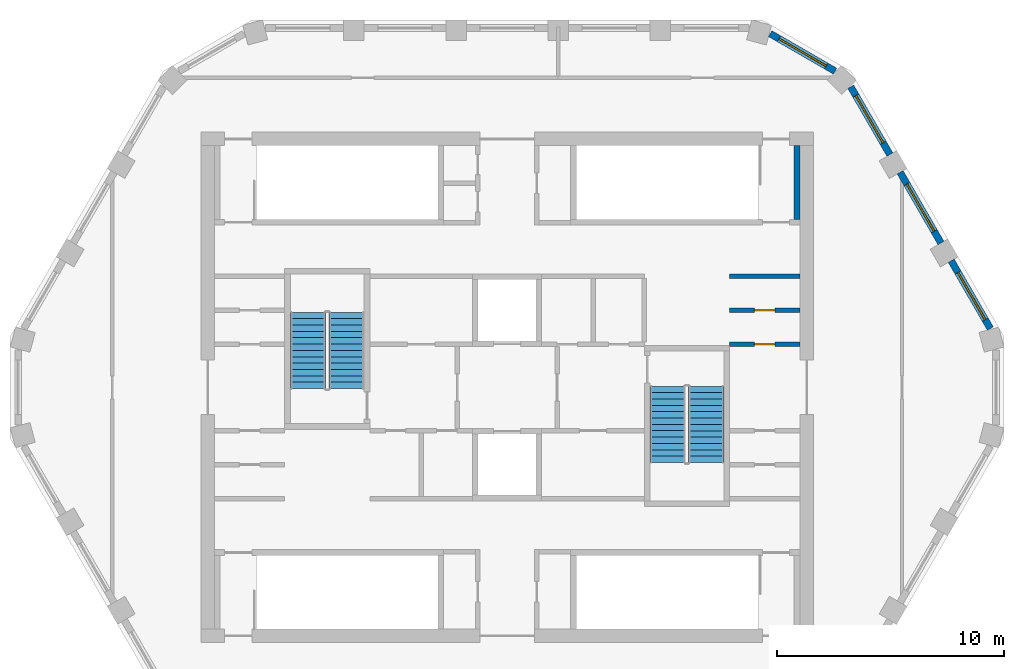
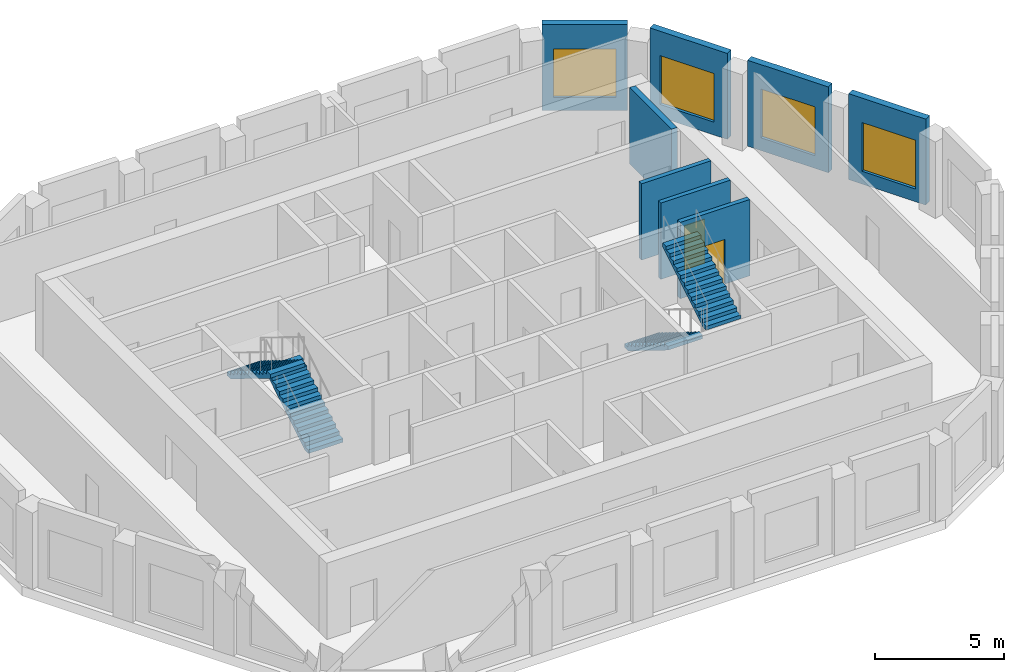
# One storey, part 5 of 6: 8 walls, 4 stair flights, 4 windows, 2 doors, 6 openings, 2 elements without a shape of their own.
"""IFC4 building model written with IfcOpenShell, lengths in metres."""

from ifc_helpers import new_model, si_unit, direction, frame, frame_2d, origin, place, context, subcontext, project, spatial, polyline, rectangle, outline, extrude, material, layer, layer_set, type_object, element, fill, aggregate, save


model = new_model("IFC4")

# Units and contexts
model_context = context("Model", 3, precision=1e-05, world=origin(), true_north=direction((0.0, 1.0)))
body_context = subcontext(model_context, "Body", "Model", "MODEL_VIEW")
ifc_project = project(units=[si_unit("LENGTHUNIT", "METRE"), si_unit("AREAUNIT", "SQUARE_METRE"), si_unit("VOLUMEUNIT", "CUBIC_METRE"), si_unit("PLANEANGLEUNIT", "RADIAN"), si_unit("MASSUNIT", "GRAM", prefix="KILO")], contexts=[model_context])

# Site, building, storey
site_placement = place(None, origin())
site = spatial("IfcSite", under=ifc_project, at=site_placement, CompositionType="ELEMENT")
building_placement = place(site_placement, origin())
building = spatial("IfcBuilding", under=site, at=building_placement, Name="Dhurran Vertical Campus", CompositionType="ELEMENT")
storey_placement = place(building_placement, frame((0.0, 0.0, 318.89990234375)))
storey = spatial("IfcBuildingStorey", under=building, at=storey_placement, Name="L78 Plant", CompositionType="ELEMENT", Elevation=318.89990234375)

# Wall, opening, window
ifc_material_1 = material(Name="Precast concrete C50/60", Category="concrete")
ifc_layer_1 = layer(ifc_material_1, 0.300048828125)
ifc_layer_set_1 = layer_set([ifc_layer_1], Name="Precast concrete C50/60")
wall_type_1 = type_object("IfcWallType", Name="Precast louvre-bay wall 300", PredefinedType="SOLIDWALL", material=ifc_layer_set_1)
wall_1_placement = place(storey_placement, frame((21.2939453125, 2.5947265625, 0.0), z_axis=(0.0, 0.0, 1.0), x_axis=(-0.499975693202, 0.866039436866, 0.0)))
wall_1 = element("IfcWall", 1, at=wall_1_placement, inside=storey, type_object=wall_type_1, Name="EW3 L78.10", PredefinedType="SOLIDWALL", context=body_context, shape_type="SweptSolid", body=[
    extrude(rectangle(XDim=3.449462890625, YDim=0.300048828125, at=frame_2d((1.724609375, 0.0))), origin(), (0.0, 0.0, 1.0), 4.050048828125),
])
opening_1_placement = place(wall_1_placement, frame((0.449951171875, 0.0, 0.60009765625)))
opening_1 = element("IfcOpeningElement", 2, at=opening_1_placement, cuts=wall_1, Name="Opening WT4", PredefinedType="OPENING", context=body_context, shape_type="SweptSolid", body=[
    extrude(rectangle(XDim=2.39990234375, YDim=2.300048828125, at=frame_2d((1.199951171875, 1.14990234375))), frame((0.0, 0.159912109375, 0.0), z_axis=(0.0, -1.0, 0.0), x_axis=(1.0, 0.0, 0.0)), (0.0, 0.0, 1.0), 0.320068359375),
])
ifc_material_2 = material(Name="Aluminium louvre", Category="aluminium")
window_type = type_object("IfcWindowType", Name="Louvred plant vent 2400 x 2300", PartitioningType="SINGLE_PANEL", PredefinedType="WINDOW", material=ifc_material_2)
window_1_placement = place(opening_1_placement, origin())
window_1 = element("IfcWindow", 3, at=window_1_placement, inside=storey, type_object=window_type, Name="WT4 L78.10", OverallHeight=2.300048828125, OverallWidth=2.39990234375, PartitioningType="SINGLE_PANEL", PredefinedType="WINDOW", context=body_context, shape_type="SweptSolid", body=[
    extrude(rectangle(XDim=2.39990234375, YDim=2.300048828125, at=frame_2d((1.199951171875, 1.14990234375))), frame((0.0, 0.030029296875, 0.0), z_axis=(0.0, -1.0, 0.0), x_axis=(1.0, 0.0, 0.0)), (0.0, 0.0, 1.0), 0.06005859375),
])
fill(opening_1, window_1)

wall_2_placement = place(storey_placement, frame((19.118896484375, 6.3623046875, 0.0), z_axis=(0.0, 0.0, 1.0), x_axis=(-0.500027802648, 0.866009351323, 0.0)))
wall_2 = element("IfcWall", 4, at=wall_2_placement, inside=storey, type_object=wall_type_1, Name="EW3 L78.11", PredefinedType="SOLIDWALL", context=body_context, shape_type="SweptSolid", body=[
    extrude(rectangle(XDim=3.598876953125, YDim=0.300048828125, at=frame_2d((1.79931640625, 0.0))), origin(), (0.0, 0.0, 1.0), 4.050048828125),
])
opening_2_placement = place(wall_2_placement, frame((0.599609375, 0.0, 0.60009765625)))
opening_2 = element("IfcOpeningElement", 5, at=opening_2_placement, cuts=wall_2, Name="Opening WT4", PredefinedType="OPENING", context=body_context, shape_type="SweptSolid", body=[
    extrude(rectangle(XDim=2.39990234375, YDim=2.300048828125, at=frame_2d((1.199951171875, 1.14990234375))), frame((0.0, 0.159912109375, 0.0), z_axis=(0.0, -1.0, 0.0), x_axis=(1.0, 0.0, 0.0)), (0.0, 0.0, 1.0), 0.320068359375),
])
window_2_placement = place(opening_2_placement, origin())
window_2 = element("IfcWindow", 6, at=window_2_placement, inside=storey, type_object=window_type, Name="WT4 L78.11", OverallHeight=2.300048828125, OverallWidth=2.39990234375, PartitioningType="SINGLE_PANEL", PredefinedType="WINDOW", context=body_context, shape_type="SweptSolid", body=[
    extrude(rectangle(XDim=2.39990234375, YDim=2.300048828125, at=frame_2d((1.199951171875, 1.14990234375))), frame((0.0, 0.030029296875, 0.0), z_axis=(0.0, -1.0, 0.0), x_axis=(1.0, 0.0, 0.0)), (0.0, 0.0, 1.0), 0.06005859375),
])
fill(opening_2, window_2)

wall_3_placement = place(storey_placement, frame((16.868896484375, 10.259521484375, 0.0), z_axis=(0.0, 0.0, 1.0), x_axis=(-0.500059425018, 0.865991092016, 0.0)))
wall_3 = element("IfcWall", 7, at=wall_3_placement, inside=storey, type_object=wall_type_1, Name="EW3 L78.12", PredefinedType="SOLIDWALL", context=body_context, shape_type="SweptSolid", body=[
    extrude(rectangle(XDim=3.44921875, YDim=0.300048828125, at=frame_2d((1.724609375, 0.0))), origin(), (0.0, 0.0, 1.0), 4.050048828125),
])
opening_3_placement = place(wall_3_placement, frame((0.599609375, 0.0, 0.60009765625)))
opening_3 = element("IfcOpeningElement", 8, at=opening_3_placement, cuts=wall_3, Name="Opening WT4", PredefinedType="OPENING", context=body_context, shape_type="SweptSolid", body=[
    extrude(rectangle(XDim=2.39990234375, YDim=2.300048828125, at=frame_2d((1.199951171875, 1.14990234375))), frame((0.0, 0.159912109375, 0.0), z_axis=(0.0, -1.0, 0.0), x_axis=(1.0, 0.0, 0.0)), (0.0, 0.0, 1.0), 0.320068359375),
])
window_3_placement = place(opening_3_placement, origin())
window_3 = element("IfcWindow", 9, at=window_3_placement, inside=storey, type_object=window_type, Name="WT4 L78.12", OverallHeight=2.300048828125, OverallWidth=2.39990234375, PartitioningType="SINGLE_PANEL", PredefinedType="WINDOW", context=body_context, shape_type="SweptSolid", body=[
    extrude(rectangle(XDim=2.39990234375, YDim=2.300048828125, at=frame_2d((1.199951171875, 1.14990234375))), frame((0.0, 0.030029296875, 0.0), z_axis=(0.0, -1.0, 0.0), x_axis=(1.0, 0.0, 0.0)), (0.0, 0.0, 1.0), 0.06005859375),
])
fill(opening_3, window_3)

wall_4_placement = place(storey_placement, frame((14.452392578125, 13.938232421875, 0.0), z_axis=(0.0, 0.0, 1.0), x_axis=(-0.866021716278, 0.500006386895, 0.0)))
wall_4 = element("IfcWall", 10, at=wall_4_placement, inside=storey, type_object=wall_type_1, Name="EW3 L78.13", PredefinedType="SOLIDWALL", context=body_context, shape_type="SweptSolid", body=[
    extrude(rectangle(XDim=3.2998046875, YDim=0.300048828125, at=frame_2d((1.64990234375, 0.0))), origin(), (0.0, 0.0, 1.0), 4.050048828125),
])
opening_4_placement = place(wall_4_placement, frame((0.449951171875, 0.0, 0.60009765625)))
opening_4 = element("IfcOpeningElement", 11, at=opening_4_placement, cuts=wall_4, Name="Opening WT4", PredefinedType="OPENING", context=body_context, shape_type="SweptSolid", body=[
    extrude(rectangle(XDim=2.39990234375, YDim=2.300048828125, at=frame_2d((1.199951171875, 1.14990234375))), frame((0.0, 0.159912109375, 0.0), z_axis=(0.0, -1.0, 0.0), x_axis=(1.0, 0.0, 0.0)), (0.0, 0.0, 1.0), 0.320068359375),
])
window_4_placement = place(opening_4_placement, origin())
window_4 = element("IfcWindow", 12, at=window_4_placement, inside=storey, type_object=window_type, Name="WT4 L78.13", OverallHeight=2.300048828125, OverallWidth=2.39990234375, PartitioningType="SINGLE_PANEL", PredefinedType="WINDOW", context=body_context, shape_type="SweptSolid", body=[
    extrude(rectangle(XDim=2.39990234375, YDim=2.300048828125, at=frame_2d((1.199951171875, 1.14990234375))), frame((0.0, 0.030029296875, 0.0), z_axis=(0.0, -1.0, 0.0), x_axis=(1.0, 0.0, 0.0)), (0.0, 0.0, 1.0), 0.06005859375),
])
fill(opening_4, window_4)

# Wall, opening, door
ifc_material_3 = material(Name="Fire-rated masonry blockwork", Category="masonry")
ifc_layer_2 = layer(ifc_material_3, 0.199951171875)
ifc_layer_set_2 = layer_set([ifc_layer_2], Name="Fire-rated masonry blockwork")
wall_type_2 = type_object("IfcWallType", Name="co-FIRE-PARTITION-200", PredefinedType="PARTITIONING", material=ifc_layer_set_2)
wall_5_placement = place(storey_placement, frame((9.800048828125, 3.39990234375, 0.0), z_axis=(0.0, 0.0, 1.0), x_axis=(1.0, 0.0, 0.0)))
wall_5 = element("IfcWall", 13, at=wall_5_placement, inside=storey, type_object=wall_type_2, Name="Core partition fr-N3-c L78", PredefinedType="PARTITIONING", context=body_context, shape_type="SweptSolid", body=[
    extrude(rectangle(XDim=3.099853515625, YDim=0.199951171875, at=frame_2d((1.5498046875, 0.0))), origin(), (0.0, 0.0, 1.0), 3.60009765625),
])
opening_5_placement = place(wall_5_placement, frame((1.10009765625, 0.0, 0.0)))
opening_5 = element("IfcOpeningElement", 14, at=opening_5_placement, cuts=wall_5, Name="Opening CR78-C11", PredefinedType="OPENING", context=body_context, shape_type="SweptSolid", body=[
    extrude(rectangle(XDim=0.89990234375, YDim=2.10009765625, at=frame_2d((0.449951171875, 1.050048828125))), frame((0.0, 0.10986328125, 0.0), z_axis=(0.0, -1.0, 0.0), x_axis=(1.0, 0.0, 0.0)), (0.0, 0.0, 1.0), 0.219970703125),
])
ifc_material_4 = material(Name="Fire-rated timber door set", Category="wood")
door_type = type_object("IfcDoorType", Name="co-D-ROOM 900x2100", OperationType="SINGLE_SWING_LEFT", PredefinedType="DOOR", material=ifc_material_4)
door_1_placement = place(opening_5_placement, origin())
door_1 = element("IfcDoor", 15, at=door_1_placement, inside=storey, type_object=door_type, Name="Print room door L78", OperationType="SINGLE_SWING_LEFT", OverallHeight=2.10009765625, OverallWidth=0.89990234375, PredefinedType="DOOR", context=body_context, shape_type="SweptSolid", body=[
    extrude(rectangle(XDim=0.89990234375, YDim=2.10009765625, at=frame_2d((0.449951171875, 1.050048828125))), frame((0.0, 0.02490234375, 0.0), z_axis=(0.0, -1.0, 0.0), x_axis=(1.0, 0.0, 0.0)), (0.0, 0.0, 1.0), 0.050048828125),
])
fill(opening_5, door_1)

wall_6_placement = place(storey_placement, frame((9.800048828125, 1.89990234375, 0.0), z_axis=(0.0, 0.0, 1.0), x_axis=(1.0, 0.0, 0.0)))
wall_6 = element("IfcWall", 16, at=wall_6_placement, inside=storey, type_object=wall_type_2, Name="Core partition fr-N3-f L78", PredefinedType="PARTITIONING", context=body_context, shape_type="SweptSolid", body=[
    extrude(rectangle(XDim=3.099853515625, YDim=0.199951171875, at=frame_2d((1.5498046875, 0.0))), origin(), (0.0, 0.0, 1.0), 3.60009765625),
])
opening_6_placement = place(wall_6_placement, frame((1.10009765625, 0.0, 0.0)))
opening_6 = element("IfcOpeningElement", 17, at=opening_6_placement, cuts=wall_6, Name="Opening CR78-C12", PredefinedType="OPENING", context=body_context, shape_type="SweptSolid", body=[
    extrude(rectangle(XDim=0.89990234375, YDim=2.10009765625, at=frame_2d((0.449951171875, 1.050048828125))), frame((0.0, 0.10986328125, 0.0), z_axis=(0.0, -1.0, 0.0), x_axis=(1.0, 0.0, 0.0)), (0.0, 0.0, 1.0), 0.219970703125),
])
door_2_placement = place(opening_6_placement, origin())
door_2 = element("IfcDoor", 18, at=door_2_placement, inside=storey, type_object=door_type, Name="Pantry door L78", OperationType="SINGLE_SWING_LEFT", OverallHeight=2.10009765625, OverallWidth=0.89990234375, PredefinedType="DOOR", context=body_context, shape_type="SweptSolid", body=[
    extrude(rectangle(XDim=0.89990234375, YDim=2.10009765625, at=frame_2d((0.449951171875, 1.050048828125))), frame((0.0, 0.02490234375, 0.0), z_axis=(0.0, -1.0, 0.0), x_axis=(1.0, 0.0, 0.0)), (0.0, 0.0, 1.0), 0.050048828125),
])
fill(opening_6, door_2)

# Walls
wall_7_placement = place(storey_placement, frame((9.800048828125, 4.89990234375, 0.0), z_axis=(0.0, 0.0, 1.0), x_axis=(1.0, 0.0, 0.0)))
element("IfcWall", 19, at=wall_7_placement, inside=storey, type_object=wall_type_2, Name="Core partition fr-N3-b L78", PredefinedType="PARTITIONING", context=body_context, shape_type="SweptSolid", body=[
    extrude(rectangle(XDim=3.099853515625, YDim=0.199951171875, at=frame_2d((1.5498046875, 0.0))), origin(), (0.0, 0.0, 1.0), 3.60009765625),
])
ifc_material_5 = material(Name="Concrete C40/50", Category="concrete")
ifc_layer_3 = layer(ifc_material_5, 0.25)
ifc_layer_set_3 = layer_set([ifc_layer_3], Name="Concrete C40/50")
wall_type_3 = type_object("IfcWallType", Name="co-STAIR-WALL-250", PredefinedType="SHEAR", material=ifc_layer_set_3)
wall_8_placement = place(storey_placement, frame((12.77490234375, 7.39990234375, 0.0), z_axis=(0.0, 0.0, 1.0), x_axis=(0.0, 1.0, 0.0)))
element("IfcWall", 20, at=wall_8_placement, inside=storey, type_object=wall_type_3, Name="Stair ST2 enclosure wall L78", PredefinedType="SHEAR", context=body_context, shape_type="SweptSolid", body=[
    extrude(rectangle(XDim=3.25, YDim=0.25, at=frame_2d((1.625, 0.0))), origin(), (0.0, 0.0, 1.0), 3.60009765625),
])

# Stair, stair flights
ifc_material_6 = material(Name="Concrete C40/50", Category="concrete")
stair_type = type_object("IfcStairType", Name="co-ST-CORE", PredefinedType="HALF_TURN_STAIR", material=ifc_material_6)
stair_1_placement = place(storey_placement, origin())
stair_1 = element("IfcStair", 21, at=stair_1_placement, inside=storey, type_object=stair_type, Name="L78 Plant Protected exit stair ST5", PredefinedType="HALF_TURN_STAIR")
ifc_material_7 = material(Name="Concrete C40/50", Category="concrete")
stair_flight_type = type_object("IfcStairFlightType", Name="co-SFL-RC", PredefinedType="STRAIGHT", material=ifc_material_7)
stair_flight_1_placement = place(storey_placement, frame((-7.074951171875, -0.050048828125, 0.0), z_axis=(0.0, 0.0, 1.0), x_axis=(0.0, 1.0, 0.0)))
stair_flight_1 = element("IfcStairFlight", 22, at=stair_flight_1_placement, type_object=stair_flight_type, Name="ST5 flight 1", NumberOfRisers=13, NumberOfTreads=12, PredefinedType="STRAIGHT", RiserHeight=0.173076923, TreadLength=0.28, context=body_context, shape_type="SweptSolid", body=[
    extrude(outline(polyline([(0.0, 0.0), (0.0, 0.173095703125), (0.280029296875, 0.173095703125), (0.280029296875, 0.34619140625), (0.56005859375, 0.34619140625), (0.56005859375, 0.519287109375), (0.840087890625, 0.519287109375), (0.840087890625, 0.6923828125), (1.1201171875, 0.6923828125), (1.1201171875, 0.865478515625), (1.39990234375, 0.865478515625), (1.39990234375, 1.03857421875), (1.679931640625, 1.03857421875), (1.679931640625, 1.21142578125), (1.9599609375, 1.21142578125), (1.9599609375, 1.384521484375), (2.239990234375, 1.384521484375), (2.239990234375, 1.5576171875), (2.52001953125, 1.5576171875), (2.52001953125, 1.730712890625), (2.800048828125, 1.730712890625), (2.800048828125, 1.90380859375), (3.080078125, 1.90380859375), (3.080078125, 2.076904296875), (3.360107421875, 2.076904296875), (3.360107421875, 2.25), (3.360107421875, 1.900634765625), (0.28515625, 0.0), (0.0, 0.0)])), frame((0.0, 0.77490234375, 0.0), z_axis=(0.0, -1.0, 0.0), x_axis=(1.0, 0.0, 0.0)), (0.0, 0.0, 1.0), 1.550048828125),
])
stair_flight_2_placement = place(storey_placement, frame((-8.77490234375, 3.31005859375, 2.25), z_axis=(0.0, 0.0, 1.0), x_axis=(0.0, -1.0, 0.0)))
stair_flight_2 = element("IfcStairFlight", 23, at=stair_flight_2_placement, type_object=stair_flight_type, Name="ST5 flight 2", NumberOfRisers=13, NumberOfTreads=12, PredefinedType="STRAIGHT", RiserHeight=0.173076923, TreadLength=0.28, context=body_context, shape_type="SweptSolid", body=[
    extrude(outline(polyline([(0.0, 0.0), (0.0, 0.173095703125), (0.280029296875, 0.173095703125), (0.280029296875, 0.34619140625), (0.56005859375, 0.34619140625), (0.56005859375, 0.519287109375), (0.840087890625, 0.519287109375), (0.840087890625, 0.6923828125), (1.1201171875, 0.6923828125), (1.1201171875, 0.865478515625), (1.39990234375, 0.865478515625), (1.39990234375, 1.03857421875), (1.679931640625, 1.03857421875), (1.679931640625, 1.21142578125), (1.9599609375, 1.21142578125), (1.9599609375, 1.384521484375), (2.239990234375, 1.384521484375), (2.239990234375, 1.5576171875), (2.52001953125, 1.5576171875), (2.52001953125, 1.730712890625), (2.800048828125, 1.730712890625), (2.800048828125, 1.90380859375), (3.080078125, 1.90380859375), (3.080078125, 2.076904296875), (3.360107421875, 2.076904296875), (3.360107421875, 2.25), (3.360107421875, 1.900634765625), (0.28515625, 0.0), (0.0, 0.0)])), frame((0.0, 0.77490234375, 0.0), z_axis=(0.0, -1.0, 0.0), x_axis=(1.0, 0.0, 0.0)), (0.0, 0.0, 1.0), 1.550048828125),
])
aggregate(stair_1, [stair_flight_1, stair_flight_2])

stair_2_placement = place(storey_placement, origin())
stair_2 = element("IfcStair", 24, at=stair_2_placement, inside=storey, type_object=stair_type, Name="L78 Plant Protected exit stair ST6", PredefinedType="HALF_TURN_STAIR")
stair_flight_3_placement = place(storey_placement, frame((7.074951171875, 0.050048828125, 0.0), z_axis=(0.0, 0.0, 1.0), x_axis=(0.0, -1.0, 0.0)))
stair_flight_3 = element("IfcStairFlight", 25, at=stair_flight_3_placement, type_object=stair_flight_type, Name="ST6 flight 1", NumberOfRisers=13, NumberOfTreads=12, PredefinedType="STRAIGHT", RiserHeight=0.173076923, TreadLength=0.28, context=body_context, shape_type="SweptSolid", body=[
    extrude(outline(polyline([(0.0, 0.0), (0.0, 0.173095703125), (0.280029296875, 0.173095703125), (0.280029296875, 0.34619140625), (0.56005859375, 0.34619140625), (0.56005859375, 0.519287109375), (0.840087890625, 0.519287109375), (0.840087890625, 0.6923828125), (1.1201171875, 0.6923828125), (1.1201171875, 0.865478515625), (1.39990234375, 0.865478515625), (1.39990234375, 1.03857421875), (1.679931640625, 1.03857421875), (1.679931640625, 1.21142578125), (1.9599609375, 1.21142578125), (1.9599609375, 1.384521484375), (2.239990234375, 1.384521484375), (2.239990234375, 1.5576171875), (2.52001953125, 1.5576171875), (2.52001953125, 1.730712890625), (2.800048828125, 1.730712890625), (2.800048828125, 1.90380859375), (3.080078125, 1.90380859375), (3.080078125, 2.076904296875), (3.360107421875, 2.076904296875), (3.360107421875, 2.25), (3.360107421875, 1.900634765625), (0.28515625, 0.0), (0.0, 0.0)])), frame((0.0, 0.77490234375, 0.0), z_axis=(0.0, -1.0, 0.0), x_axis=(1.0, 0.0, 0.0)), (0.0, 0.0, 1.0), 1.550048828125),
])
stair_flight_4_placement = place(storey_placement, frame((8.77490234375, -3.31005859375, 2.25), z_axis=(0.0, 0.0, 1.0), x_axis=(0.0, 1.0, 0.0)))
stair_flight_4 = element("IfcStairFlight", 26, at=stair_flight_4_placement, type_object=stair_flight_type, Name="ST6 flight 2", NumberOfRisers=13, NumberOfTreads=12, PredefinedType="STRAIGHT", RiserHeight=0.173076923, TreadLength=0.28, context=body_context, shape_type="SweptSolid", body=[
    extrude(outline(polyline([(0.0, 0.0), (0.0, 0.173095703125), (0.280029296875, 0.173095703125), (0.280029296875, 0.34619140625), (0.56005859375, 0.34619140625), (0.56005859375, 0.519287109375), (0.840087890625, 0.519287109375), (0.840087890625, 0.6923828125), (1.1201171875, 0.6923828125), (1.1201171875, 0.865478515625), (1.39990234375, 0.865478515625), (1.39990234375, 1.03857421875), (1.679931640625, 1.03857421875), (1.679931640625, 1.21142578125), (1.9599609375, 1.21142578125), (1.9599609375, 1.384521484375), (2.239990234375, 1.384521484375), (2.239990234375, 1.5576171875), (2.52001953125, 1.5576171875), (2.52001953125, 1.730712890625), (2.800048828125, 1.730712890625), (2.800048828125, 1.90380859375), (3.080078125, 1.90380859375), (3.080078125, 2.076904296875), (3.360107421875, 2.076904296875), (3.360107421875, 2.25), (3.360107421875, 1.900634765625), (0.28515625, 0.0), (0.0, 0.0)])), frame((0.0, 0.77490234375, 0.0), z_axis=(0.0, -1.0, 0.0), x_axis=(1.0, 0.0, 0.0)), (0.0, 0.0, 1.0), 1.550048828125),
])
aggregate(stair_2, [stair_flight_3, stair_flight_4])

save(model, "model.ifc")
